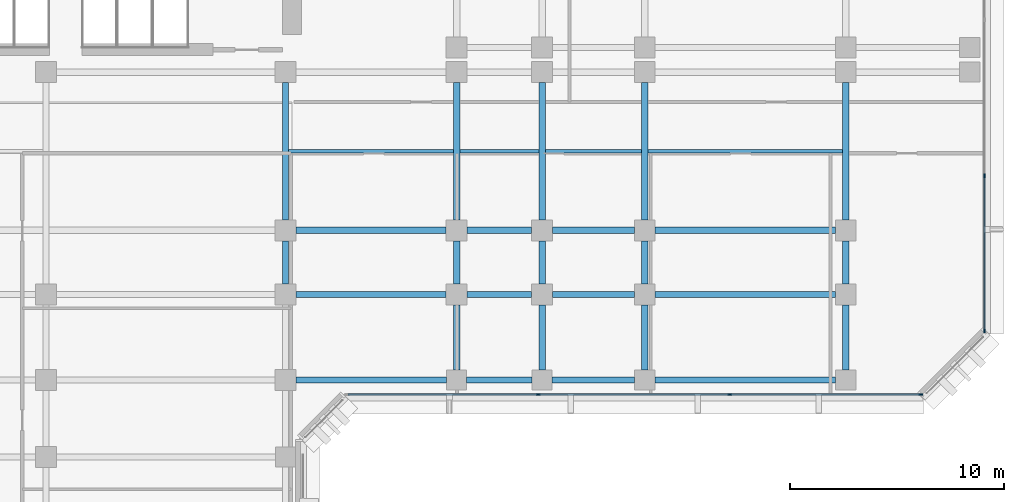
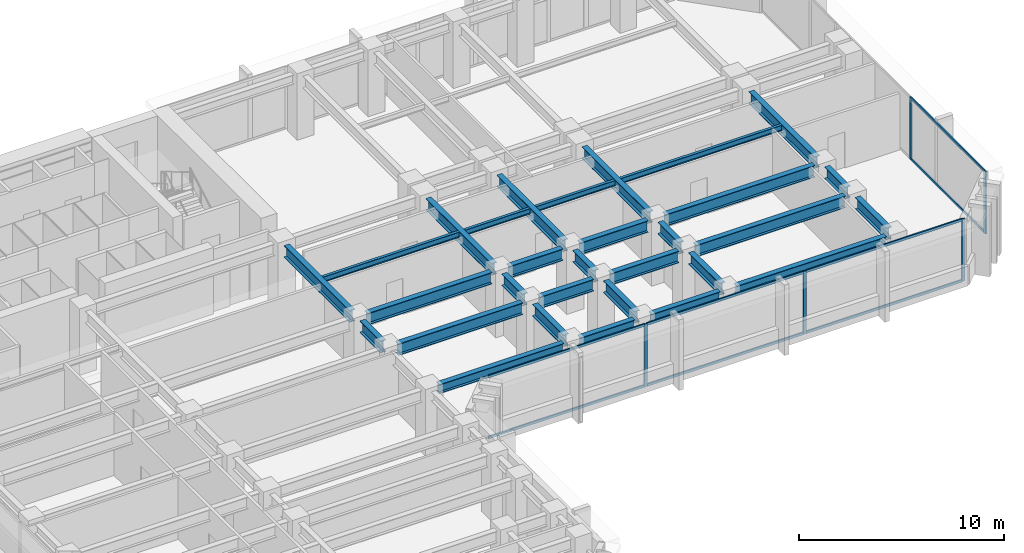
# One storey, part 3 of 14: 30 beams, 13 members, 2 elements without a shape of their own.
"""IFC4 building model written with IfcOpenShell, lengths in metres."""

from ifc_helpers import new_model, si_unit, direction, frame, origin, origin_2d, place, context, subcontext, project, spatial, rectangle, i_section, extrude, material, layer, layer_set, material_profile, profile_set, type_object, element, aggregate, save


model = new_model("IFC4")

# Units and contexts
model_context = context("Model", 3, precision=1e-05, world=origin(), true_north=direction((0.0, 1.0)))
body_context = subcontext(model_context, "Body", "Model", "MODEL_VIEW")
ifc_project = project(units=[si_unit("LENGTHUNIT", "METRE"), si_unit("AREAUNIT", "SQUARE_METRE"), si_unit("VOLUMEUNIT", "CUBIC_METRE"), si_unit("PLANEANGLEUNIT", "RADIAN"), si_unit("MASSUNIT", "GRAM", prefix="KILO")], contexts=[model_context])

# Site, building, storey
site_placement = place(None, origin())
site = spatial("IfcSite", under=ifc_project, at=site_placement, CompositionType="ELEMENT")
building_placement = place(site_placement, origin())
building = spatial("IfcBuilding", under=site, at=building_placement, Name="Kefirva Bronze Tower", CompositionType="ELEMENT")
storey_placement = place(building_placement, frame((0.0, 0.0, 50.159912109375)))
storey = spatial("IfcBuildingStorey", under=building, at=storey_placement, Name="L11", CompositionType="ELEMENT", Elevation=50.159912109375)

# Curtain wall, members
ifc_material_1 = material(Name="Bronze anodised aluminium", Category="aluminium")
ifc_layer = layer(ifc_material_1, 0.199951171875, Name="Bronze anodised aluminium")
ifc_layer_set = layer_set([ifc_layer], Name="Bronze anodised aluminium")
curtain_wall_type = type_object("IfcCurtainWallType", Name="Unitised Bronze Ribbon Curtain Wall Zone 1", PredefinedType="USERDEFINED", material=ifc_layer_set)
curtain_wall_1_placement = place(storey_placement, origin())
curtain_wall_1 = element("IfcCurtainWall", 1, at=curtain_wall_1_placement, inside=storey, type_object=curtain_wall_type, Name="L11 Curtain Wall 1", ObjectType="UNITISED CURTAIN WALL", PredefinedType="USERDEFINED")
ifc_material_profile_1 = material_profile(ifc_material_1, rectangle(XDim=0.074951171875, YDim=0.179931640625, at=origin_2d()), Name="ALU 75x180")
ifc_profile_set_1 = profile_set([ifc_material_profile_1], Name="Bronze anodised aluminium")
member_type_1 = type_object("IfcMemberType", Name="Bronze Mullion 75x180", PredefinedType="MULLION", material=ifc_profile_set_1)
member_1_placement = place(storey_placement, frame((35.018310546875, 18.1201171875, 0.0), z_axis=(0.0, 0.0, 1.0), x_axis=(0.0, 1.0, 0.0)))
member_1 = element("IfcMember", 2, at=member_1_placement, type_object=member_type_1, Name="CW-01 mullion 2", PredefinedType="MULLION", context=body_context, shape_type="SweptSolid", body=[
    extrude(rectangle(XDim=0.074951171875, YDim=0.179931640625, at=origin_2d()), origin(), (0.0, 0.0, 1.0), 3.710205078125),
])
member_2_placement = place(storey_placement, frame((43.981689453125, 18.1201171875, 0.0), z_axis=(0.0, 0.0, 1.0), x_axis=(0.0, 1.0, 0.0)))
member_2 = element("IfcMember", 3, at=member_2_placement, type_object=member_type_1, Name="CW-01 mullion 3", PredefinedType="MULLION", context=body_context, shape_type="SweptSolid", body=[
    extrude(rectangle(XDim=0.074951171875, YDim=0.179931640625, at=origin_2d()), origin(), (0.0, 0.0, 1.0), 3.710205078125),
])
member_3_placement = place(storey_placement, frame((52.907470703125, 18.1201171875, 0.0), z_axis=(0.0, 0.0, 1.0), x_axis=(0.0, 1.0, 0.0)))
member_3 = element("IfcMember", 4, at=member_3_placement, type_object=member_type_1, Name="CW-01 mullion 4", PredefinedType="MULLION", context=body_context, shape_type="SweptSolid", body=[
    extrude(rectangle(XDim=0.074951171875, YDim=0.179931640625, at=origin_2d()), origin(), (0.0, 0.0, 1.0), 3.710205078125),
])

curtain_wall_2_placement = place(storey_placement, origin())
curtain_wall_2 = element("IfcCurtainWall", 5, at=curtain_wall_2_placement, inside=storey, type_object=curtain_wall_type, Name="L11 Curtain Wall 2", ObjectType="UNITISED CURTAIN WALL", PredefinedType="USERDEFINED")
member_4_placement = place(storey_placement, frame((55.8798828125, 21.092529296875, 0.0), z_axis=(0.0, 0.0, 1.0), x_axis=(-1.0, 0.0, 0.0)))
member_4 = element("IfcMember", 6, at=member_4_placement, type_object=member_type_1, Name="CW-01 mullion 1", PredefinedType="MULLION", context=body_context, shape_type="SweptSolid", body=[
    extrude(rectangle(XDim=0.074951171875, YDim=0.179931640625, at=origin_2d()), origin(), (0.0, 0.0, 1.0), 3.710205078125),
])
member_5_placement = place(storey_placement, frame((55.8798828125, 28.3515625, 0.0), z_axis=(0.0, 0.0, 1.0), x_axis=(-1.0, 0.0, 0.0)))
member_5 = element("IfcMember", 7, at=member_5_placement, type_object=member_type_1, Name="CW-01 mullion 2", PredefinedType="MULLION", context=body_context, shape_type="SweptSolid", body=[
    extrude(rectangle(XDim=0.074951171875, YDim=0.179931640625, at=origin_2d()), origin(), (0.0, 0.0, 1.0), 3.710205078125),
])

# Member
ifc_material_profile_2 = material_profile(ifc_material_1, rectangle(XDim=0.074951171875, YDim=0.14990234375, at=origin_2d()), Name="ALU 75x150")
ifc_profile_set_2 = profile_set([ifc_material_profile_2], Name="Bronze anodised aluminium")
member_type_2 = type_object("IfcMemberType", Name="Bronze Transom 75x150", PredefinedType="USERDEFINED", material=ifc_profile_set_2)
member_6_placement = place(storey_placement, frame((26.1298828125, 18.1201171875, 0.03759765625), z_axis=(1.0, 0.0, 0.0), x_axis=(0.0, 1.0, 0.0)))
member_6 = element("IfcMember", 8, at=member_6_placement, type_object=member_type_2, Name="CW-01 transom 1.1", ObjectType="TRANSOM", PredefinedType="USERDEFINED", context=body_context, shape_type="SweptSolid", body=[
    extrude(rectangle(XDim=0.074951171875, YDim=0.14990234375, at=origin_2d()), origin(), (0.0, 0.0, 1.0), 8.850830078125),
])

member_7_placement = place(storey_placement, frame((26.1298828125, 18.1201171875, 3.672607421875), z_axis=(1.0, 0.0, 0.0), x_axis=(0.0, 1.0, 0.0)))
member_7 = element("IfcMember", 9, at=member_7_placement, type_object=member_type_2, Name="CW-01 transom 1.2", ObjectType="TRANSOM", PredefinedType="USERDEFINED", context=body_context, shape_type="SweptSolid", body=[
    extrude(rectangle(XDim=0.074951171875, YDim=0.14990234375, at=origin_2d()), origin(), (0.0, 0.0, 1.0), 8.850830078125),
])

member_8_placement = place(storey_placement, frame((35.055908203125, 18.1201171875, 0.03759765625), z_axis=(1.0, 0.0, 0.0), x_axis=(0.0, 1.0, 0.0)))
member_8 = element("IfcMember", 10, at=member_8_placement, type_object=member_type_2, Name="CW-01 transom 2.1", ObjectType="TRANSOM", PredefinedType="USERDEFINED", context=body_context, shape_type="SweptSolid", body=[
    extrude(rectangle(XDim=0.074951171875, YDim=0.14990234375, at=origin_2d()), origin(), (0.0, 0.0, 1.0), 8.88818359375),
])

member_9_placement = place(storey_placement, frame((35.055908203125, 18.1201171875, 3.672607421875), z_axis=(1.0, 0.0, 0.0), x_axis=(0.0, 1.0, 0.0)))
member_9 = element("IfcMember", 11, at=member_9_placement, type_object=member_type_2, Name="CW-01 transom 2.2", ObjectType="TRANSOM", PredefinedType="USERDEFINED", context=body_context, shape_type="SweptSolid", body=[
    extrude(rectangle(XDim=0.074951171875, YDim=0.14990234375, at=origin_2d()), origin(), (0.0, 0.0, 1.0), 8.88818359375),
])

member_10_placement = place(storey_placement, frame((44.019287109375, 18.1201171875, 0.03759765625), z_axis=(1.0, 0.0, 0.0), x_axis=(0.0, 1.0, 0.0)))
member_10 = element("IfcMember", 12, at=member_10_placement, type_object=member_type_2, Name="CW-01 transom 3.1", ObjectType="TRANSOM", PredefinedType="USERDEFINED", context=body_context, shape_type="SweptSolid", body=[
    extrude(rectangle(XDim=0.074951171875, YDim=0.14990234375, at=origin_2d()), origin(), (0.0, 0.0, 1.0), 8.850830078125),
])

member_11_placement = place(storey_placement, frame((44.019287109375, 18.1201171875, 3.672607421875), z_axis=(1.0, 0.0, 0.0), x_axis=(0.0, 1.0, 0.0)))
member_11 = element("IfcMember", 13, at=member_11_placement, type_object=member_type_2, Name="CW-01 transom 3.2", ObjectType="TRANSOM", PredefinedType="USERDEFINED", context=body_context, shape_type="SweptSolid", body=[
    extrude(rectangle(XDim=0.074951171875, YDim=0.14990234375, at=origin_2d()), origin(), (0.0, 0.0, 1.0), 8.850830078125),
])

aggregate(curtain_wall_1, [member_1, member_2, member_3, member_6, member_7, member_8, member_9, member_10, member_11])

member_12_placement = place(storey_placement, frame((55.8798828125, 21.1298828125, 0.03759765625), z_axis=(0.0, 1.0, 0.0), x_axis=(-1.0, 0.0, 0.0)))
member_12 = element("IfcMember", 14, at=member_12_placement, type_object=member_type_2, Name="CW-01 transom 1.1", ObjectType="TRANSOM", PredefinedType="USERDEFINED", context=body_context, shape_type="SweptSolid", body=[
    extrude(rectangle(XDim=0.074951171875, YDim=0.14990234375, at=origin_2d()), origin(), (0.0, 0.0, 1.0), 7.184326171875),
])

member_13_placement = place(storey_placement, frame((55.8798828125, 21.1298828125, 3.672607421875), z_axis=(0.0, 1.0, 0.0), x_axis=(-1.0, 0.0, 0.0)))
member_13 = element("IfcMember", 15, at=member_13_placement, type_object=member_type_2, Name="CW-01 transom 1.2", ObjectType="TRANSOM", PredefinedType="USERDEFINED", context=body_context, shape_type="SweptSolid", body=[
    extrude(rectangle(XDim=0.074951171875, YDim=0.14990234375, at=origin_2d()), origin(), (0.0, 0.0, 1.0), 7.184326171875),
])

aggregate(curtain_wall_2, [member_4, member_5, member_12, member_13])

# Beams
ifc_material_2 = material(Name="Steel S355", Category="steel")
ifc_material_profile_3 = material_profile(ifc_material_2, i_section(OverallWidth=0.159912109375, OverallDepth=0.330078125, WebThickness=0.007568359375, FlangeThickness=0.011474609375, at=origin_2d()), Name="IPE 330")
ifc_profile_set_3 = profile_set([ifc_material_profile_3], Name="Steel S355")
beam_type_1 = type_object("IfcBeamType", Name="Steel Floor Joist IPE 330", PredefinedType="JOIST", material=ifc_profile_set_3)
beam_1_placement = place(storey_placement, frame((23.35009765625, 29.5, 3.545166015625), z_axis=(1.0, 0.0, 0.0), x_axis=(0.0, 1.0, 0.0)))
element("IfcBeam", 16, at=beam_1_placement, inside=storey, type_object=beam_type_1, Name="L11 JST-L11-23-295", PredefinedType="JOIST", context=body_context, shape_type="SweptSolid", body=[
    extrude(i_section(OverallWidth=0.159912109375, OverallDepth=0.330078125, WebThickness=0.007568359375, FlangeThickness=0.011474609375, at=origin_2d()), origin(), (0.0, 0.0, 1.0), 7.699951171875),
])
beam_2_placement = place(storey_placement, frame((31.35009765625, 29.5, 3.545166015625), z_axis=(1.0, 0.0, 0.0), x_axis=(0.0, 1.0, 0.0)))
element("IfcBeam", 17, at=beam_2_placement, inside=storey, type_object=beam_type_1, Name="L11 JST-L11-31-295", PredefinedType="JOIST", context=body_context, shape_type="SweptSolid", body=[
    extrude(i_section(OverallWidth=0.159912109375, OverallDepth=0.330078125, WebThickness=0.007568359375, FlangeThickness=0.011474609375, at=origin_2d()), origin(), (0.0, 0.0, 1.0), 3.699951171875),
])
beam_3_placement = place(storey_placement, frame((35.35009765625, 29.5, 3.545166015625), z_axis=(1.0, 0.0, 0.0), x_axis=(0.0, 1.0, 0.0)))
element("IfcBeam", 18, at=beam_3_placement, inside=storey, type_object=beam_type_1, Name="L11 JST-L11-35-295", PredefinedType="JOIST", context=body_context, shape_type="SweptSolid", body=[
    extrude(i_section(OverallWidth=0.159912109375, OverallDepth=0.330078125, WebThickness=0.007568359375, FlangeThickness=0.011474609375, at=origin_2d()), origin(), (0.0, 0.0, 1.0), 4.5),
])
beam_4_placement = place(storey_placement, frame((40.14990234375, 29.5, 3.545166015625), z_axis=(1.0, 0.0, 0.0), x_axis=(0.0, 1.0, 0.0)))
element("IfcBeam", 19, at=beam_4_placement, inside=storey, type_object=beam_type_1, Name="L11 JST-L11-40-295", PredefinedType="JOIST", context=body_context, shape_type="SweptSolid", body=[
    extrude(i_section(OverallWidth=0.159912109375, OverallDepth=0.330078125, WebThickness=0.007568359375, FlangeThickness=0.011474609375, at=origin_2d()), origin(), (0.0, 0.0, 1.0), 9.10009765625),
])
ifc_material_profile_4 = material_profile(ifc_material_2, i_section(OverallWidth=0.300048828125, OverallDepth=0.699951171875, WebThickness=0.01708984375, FlangeThickness=0.031982421875, at=origin_2d()), Name="HEB 700")
ifc_profile_set_4 = profile_set([ifc_material_profile_4], Name="Steel S355")
beam_type_2 = type_object("IfcBeamType", Name="Steel Girder HEB 700", PredefinedType="USERDEFINED", material=ifc_profile_set_4)
beam_5_placement = place(storey_placement, frame((23.68994140625, 22.800048828125, 3.360107421875), z_axis=(1.0, 0.0, 0.0), x_axis=(0.0, 1.0, 0.0)))
element("IfcBeam", 20, at=beam_5_placement, inside=storey, type_object=beam_type_2, Name="L11 BM-L11-EW-23-228", ObjectType="GIRDER", PredefinedType="USERDEFINED", context=body_context, shape_type="SweptSolid", body=[
    extrude(i_section(OverallWidth=0.300048828125, OverallDepth=0.699951171875, WebThickness=0.01708984375, FlangeThickness=0.031982421875, at=origin_2d()), origin(), (0.0, 0.0, 1.0), 7.02001953125),
])
beam_6_placement = place(storey_placement, frame((31.68994140625, 22.800048828125, 3.360107421875), z_axis=(1.0, 0.0, 0.0), x_axis=(0.0, 1.0, 0.0)))
element("IfcBeam", 21, at=beam_6_placement, inside=storey, type_object=beam_type_2, Name="L11 BM-L11-EW-31-228", ObjectType="GIRDER", PredefinedType="USERDEFINED", context=body_context, shape_type="SweptSolid", body=[
    extrude(i_section(OverallWidth=0.300048828125, OverallDepth=0.699951171875, WebThickness=0.01708984375, FlangeThickness=0.031982421875, at=origin_2d()), origin(), (0.0, 0.0, 1.0), 3.02001953125),
])
beam_7_placement = place(storey_placement, frame((35.68994140625, 22.800048828125, 3.360107421875), z_axis=(1.0, 0.0, 0.0), x_axis=(0.0, 1.0, 0.0)))
element("IfcBeam", 22, at=beam_7_placement, inside=storey, type_object=beam_type_2, Name="L11 BM-L11-EW-35-228", ObjectType="GIRDER", PredefinedType="USERDEFINED", context=body_context, shape_type="SweptSolid", body=[
    extrude(i_section(OverallWidth=0.300048828125, OverallDepth=0.699951171875, WebThickness=0.01708984375, FlangeThickness=0.031982421875, at=origin_2d()), origin(), (0.0, 0.0, 1.0), 3.820068359375),
])
beam_8_placement = place(storey_placement, frame((40.489990234375, 22.800048828125, 3.360107421875), z_axis=(1.0, 0.0, 0.0), x_axis=(0.0, 1.0, 0.0)))
element("IfcBeam", 23, at=beam_8_placement, inside=storey, type_object=beam_type_2, Name="L11 BM-L11-EW-40-228", ObjectType="GIRDER", PredefinedType="USERDEFINED", context=body_context, shape_type="SweptSolid", body=[
    extrude(i_section(OverallWidth=0.300048828125, OverallDepth=0.699951171875, WebThickness=0.01708984375, FlangeThickness=0.031982421875, at=origin_2d()), origin(), (0.0, 0.0, 1.0), 8.419921875),
])
beam_9_placement = place(storey_placement, frame((23.68994140625, 25.800048828125, 3.360107421875), z_axis=(1.0, 0.0, 0.0), x_axis=(0.0, 1.0, 0.0)))
element("IfcBeam", 24, at=beam_9_placement, inside=storey, type_object=beam_type_2, Name="L11 BM-L11-EW-23-258", ObjectType="GIRDER", PredefinedType="USERDEFINED", context=body_context, shape_type="SweptSolid", body=[
    extrude(i_section(OverallWidth=0.300048828125, OverallDepth=0.699951171875, WebThickness=0.01708984375, FlangeThickness=0.031982421875, at=origin_2d()), origin(), (0.0, 0.0, 1.0), 7.02001953125),
])
beam_10_placement = place(storey_placement, frame((31.68994140625, 25.800048828125, 3.360107421875), z_axis=(1.0, 0.0, 0.0), x_axis=(0.0, 1.0, 0.0)))
element("IfcBeam", 25, at=beam_10_placement, inside=storey, type_object=beam_type_2, Name="L11 BM-L11-EW-31-258", ObjectType="GIRDER", PredefinedType="USERDEFINED", context=body_context, shape_type="SweptSolid", body=[
    extrude(i_section(OverallWidth=0.300048828125, OverallDepth=0.699951171875, WebThickness=0.01708984375, FlangeThickness=0.031982421875, at=origin_2d()), origin(), (0.0, 0.0, 1.0), 3.02001953125),
])
beam_11_placement = place(storey_placement, frame((35.68994140625, 25.800048828125, 3.360107421875), z_axis=(1.0, 0.0, 0.0), x_axis=(0.0, 1.0, 0.0)))
element("IfcBeam", 26, at=beam_11_placement, inside=storey, type_object=beam_type_2, Name="L11 BM-L11-EW-35-258", ObjectType="GIRDER", PredefinedType="USERDEFINED", context=body_context, shape_type="SweptSolid", body=[
    extrude(i_section(OverallWidth=0.300048828125, OverallDepth=0.699951171875, WebThickness=0.01708984375, FlangeThickness=0.031982421875, at=origin_2d()), origin(), (0.0, 0.0, 1.0), 3.820068359375),
])
beam_12_placement = place(storey_placement, frame((40.489990234375, 25.800048828125, 3.360107421875), z_axis=(1.0, 0.0, 0.0), x_axis=(0.0, 1.0, 0.0)))
element("IfcBeam", 27, at=beam_12_placement, inside=storey, type_object=beam_type_2, Name="L11 BM-L11-EW-40-258", ObjectType="GIRDER", PredefinedType="USERDEFINED", context=body_context, shape_type="SweptSolid", body=[
    extrude(i_section(OverallWidth=0.300048828125, OverallDepth=0.699951171875, WebThickness=0.01708984375, FlangeThickness=0.031982421875, at=origin_2d()), origin(), (0.0, 0.0, 1.0), 8.419921875),
])
beam_13_placement = place(storey_placement, frame((23.199951171875, 23.2900390625, 3.360107421875), z_axis=(0.0, 1.0, 0.0), x_axis=(-1.0, 0.0, 0.0)))
element("IfcBeam", 28, at=beam_13_placement, inside=storey, type_object=beam_type_2, Name="L11 BM-L11-NS-232-22", ObjectType="GIRDER", PredefinedType="USERDEFINED", context=body_context, shape_type="SweptSolid", body=[
    extrude(i_section(OverallWidth=0.300048828125, OverallDepth=0.699951171875, WebThickness=0.01708984375, FlangeThickness=0.031982421875, at=origin_2d()), origin(), (0.0, 0.0, 1.0), 2.02001953125),
])
beam_14_placement = place(storey_placement, frame((23.199951171875, 26.2900390625, 3.360107421875), z_axis=(0.0, 1.0, 0.0), x_axis=(-1.0, 0.0, 0.0)))
element("IfcBeam", 29, at=beam_14_placement, inside=storey, type_object=beam_type_2, Name="L11 BM-L11-NS-232-25", ObjectType="GIRDER", PredefinedType="USERDEFINED", context=body_context, shape_type="SweptSolid", body=[
    extrude(i_section(OverallWidth=0.300048828125, OverallDepth=0.699951171875, WebThickness=0.01708984375, FlangeThickness=0.031982421875, at=origin_2d()), origin(), (0.0, 0.0, 1.0), 6.419921875),
])
beam_15_placement = place(storey_placement, frame((31.199951171875, 19.27001953125, 3.360107421875), z_axis=(0.0, 1.0, 0.0), x_axis=(-1.0, 0.0, 0.0)))
element("IfcBeam", 30, at=beam_15_placement, inside=storey, type_object=beam_type_2, Name="L11 BM-L11-NS-312-18", ObjectType="GIRDER", PredefinedType="USERDEFINED", context=body_context, shape_type="SweptSolid", body=[
    extrude(i_section(OverallWidth=0.300048828125, OverallDepth=0.699951171875, WebThickness=0.01708984375, FlangeThickness=0.031982421875, at=origin_2d()), origin(), (0.0, 0.0, 1.0), 3.0400390625),
])
beam_16_placement = place(storey_placement, frame((31.199951171875, 23.2900390625, 3.360107421875), z_axis=(0.0, 1.0, 0.0), x_axis=(-1.0, 0.0, 0.0)))
element("IfcBeam", 31, at=beam_16_placement, inside=storey, type_object=beam_type_2, Name="L11 BM-L11-NS-312-22", ObjectType="GIRDER", PredefinedType="USERDEFINED", context=body_context, shape_type="SweptSolid", body=[
    extrude(i_section(OverallWidth=0.300048828125, OverallDepth=0.699951171875, WebThickness=0.01708984375, FlangeThickness=0.031982421875, at=origin_2d()), origin(), (0.0, 0.0, 1.0), 2.02001953125),
])
beam_17_placement = place(storey_placement, frame((31.199951171875, 26.2900390625, 3.360107421875), z_axis=(0.0, 1.0, 0.0), x_axis=(-1.0, 0.0, 0.0)))
element("IfcBeam", 32, at=beam_17_placement, inside=storey, type_object=beam_type_2, Name="L11 BM-L11-NS-312-25", ObjectType="GIRDER", PredefinedType="USERDEFINED", context=body_context, shape_type="SweptSolid", body=[
    extrude(i_section(OverallWidth=0.300048828125, OverallDepth=0.699951171875, WebThickness=0.01708984375, FlangeThickness=0.031982421875, at=origin_2d()), origin(), (0.0, 0.0, 1.0), 6.419921875),
])
beam_18_placement = place(storey_placement, frame((35.199951171875, 19.27001953125, 3.360107421875), z_axis=(0.0, 1.0, 0.0), x_axis=(-1.0, 0.0, 0.0)))
element("IfcBeam", 33, at=beam_18_placement, inside=storey, type_object=beam_type_2, Name="L11 BM-L11-NS-352-18", ObjectType="GIRDER", PredefinedType="USERDEFINED", context=body_context, shape_type="SweptSolid", body=[
    extrude(i_section(OverallWidth=0.300048828125, OverallDepth=0.699951171875, WebThickness=0.01708984375, FlangeThickness=0.031982421875, at=origin_2d()), origin(), (0.0, 0.0, 1.0), 3.0400390625),
])
beam_19_placement = place(storey_placement, frame((35.199951171875, 23.2900390625, 3.360107421875), z_axis=(0.0, 1.0, 0.0), x_axis=(-1.0, 0.0, 0.0)))
element("IfcBeam", 34, at=beam_19_placement, inside=storey, type_object=beam_type_2, Name="L11 BM-L11-NS-352-22", ObjectType="GIRDER", PredefinedType="USERDEFINED", context=body_context, shape_type="SweptSolid", body=[
    extrude(i_section(OverallWidth=0.300048828125, OverallDepth=0.699951171875, WebThickness=0.01708984375, FlangeThickness=0.031982421875, at=origin_2d()), origin(), (0.0, 0.0, 1.0), 2.02001953125),
])
beam_20_placement = place(storey_placement, frame((35.199951171875, 26.2900390625, 3.360107421875), z_axis=(0.0, 1.0, 0.0), x_axis=(-1.0, 0.0, 0.0)))
element("IfcBeam", 35, at=beam_20_placement, inside=storey, type_object=beam_type_2, Name="L11 BM-L11-NS-352-25", ObjectType="GIRDER", PredefinedType="USERDEFINED", context=body_context, shape_type="SweptSolid", body=[
    extrude(i_section(OverallWidth=0.300048828125, OverallDepth=0.699951171875, WebThickness=0.01708984375, FlangeThickness=0.031982421875, at=origin_2d()), origin(), (0.0, 0.0, 1.0), 6.419921875),
])
beam_21_placement = place(storey_placement, frame((40.0, 19.27001953125, 3.360107421875), z_axis=(0.0, 1.0, 0.0), x_axis=(-1.0, 0.0, 0.0)))
element("IfcBeam", 36, at=beam_21_placement, inside=storey, type_object=beam_type_2, Name="L11 BM-L11-NS-400-18", ObjectType="GIRDER", PredefinedType="USERDEFINED", context=body_context, shape_type="SweptSolid", body=[
    extrude(i_section(OverallWidth=0.300048828125, OverallDepth=0.699951171875, WebThickness=0.01708984375, FlangeThickness=0.031982421875, at=origin_2d()), origin(), (0.0, 0.0, 1.0), 3.0400390625),
])
beam_22_placement = place(storey_placement, frame((40.0, 23.2900390625, 3.360107421875), z_axis=(0.0, 1.0, 0.0), x_axis=(-1.0, 0.0, 0.0)))
element("IfcBeam", 37, at=beam_22_placement, inside=storey, type_object=beam_type_2, Name="L11 BM-L11-NS-400-22", ObjectType="GIRDER", PredefinedType="USERDEFINED", context=body_context, shape_type="SweptSolid", body=[
    extrude(i_section(OverallWidth=0.300048828125, OverallDepth=0.699951171875, WebThickness=0.01708984375, FlangeThickness=0.031982421875, at=origin_2d()), origin(), (0.0, 0.0, 1.0), 2.02001953125),
])
beam_23_placement = place(storey_placement, frame((40.0, 26.2900390625, 3.360107421875), z_axis=(0.0, 1.0, 0.0), x_axis=(-1.0, 0.0, 0.0)))
element("IfcBeam", 38, at=beam_23_placement, inside=storey, type_object=beam_type_2, Name="L11 BM-L11-NS-400-25", ObjectType="GIRDER", PredefinedType="USERDEFINED", context=body_context, shape_type="SweptSolid", body=[
    extrude(i_section(OverallWidth=0.300048828125, OverallDepth=0.699951171875, WebThickness=0.01708984375, FlangeThickness=0.031982421875, at=origin_2d()), origin(), (0.0, 0.0, 1.0), 6.419921875),
])
beam_24_placement = place(storey_placement, frame((49.39990234375, 19.27001953125, 3.360107421875), z_axis=(0.0, 1.0, 0.0), x_axis=(-1.0, 0.0, 0.0)))
element("IfcBeam", 39, at=beam_24_placement, inside=storey, type_object=beam_type_2, Name="L11 BM-L11-NS-494-18", ObjectType="GIRDER", PredefinedType="USERDEFINED", context=body_context, shape_type="SweptSolid", body=[
    extrude(i_section(OverallWidth=0.300048828125, OverallDepth=0.699951171875, WebThickness=0.01708984375, FlangeThickness=0.031982421875, at=origin_2d()), origin(), (0.0, 0.0, 1.0), 3.0400390625),
])
beam_25_placement = place(storey_placement, frame((49.39990234375, 23.2900390625, 3.360107421875), z_axis=(0.0, 1.0, 0.0), x_axis=(-1.0, 0.0, 0.0)))
element("IfcBeam", 40, at=beam_25_placement, inside=storey, type_object=beam_type_2, Name="L11 BM-L11-NS-494-22", ObjectType="GIRDER", PredefinedType="USERDEFINED", context=body_context, shape_type="SweptSolid", body=[
    extrude(i_section(OverallWidth=0.300048828125, OverallDepth=0.699951171875, WebThickness=0.01708984375, FlangeThickness=0.031982421875, at=origin_2d()), origin(), (0.0, 0.0, 1.0), 2.02001953125),
])
beam_26_placement = place(storey_placement, frame((49.39990234375, 26.2900390625, 3.360107421875), z_axis=(0.0, 1.0, 0.0), x_axis=(-1.0, 0.0, 0.0)))
element("IfcBeam", 41, at=beam_26_placement, inside=storey, type_object=beam_type_2, Name="L11 BM-L11-NS-494-25", ObjectType="GIRDER", PredefinedType="USERDEFINED", context=body_context, shape_type="SweptSolid", body=[
    extrude(i_section(OverallWidth=0.300048828125, OverallDepth=0.699951171875, WebThickness=0.01708984375, FlangeThickness=0.031982421875, at=origin_2d()), origin(), (0.0, 0.0, 1.0), 6.419921875),
])
ifc_material_profile_5 = material_profile(ifc_material_2, i_section(OverallWidth=0.300048828125, OverallDepth=0.550048828125, WebThickness=0.014892578125, FlangeThickness=0.029052734375, at=origin_2d()), Name="HEB 550")
ifc_profile_set_5 = profile_set([ifc_material_profile_5], Name="Steel S355")
beam_type_3 = type_object("IfcBeamType", Name="Steel Spandrel HEB 550 Ext", PredefinedType="SPANDREL", material=ifc_profile_set_5)
beam_27_placement = place(storey_placement, frame((23.68994140625, 18.800048828125, 3.43505859375), z_axis=(1.0, 0.0, 0.0), x_axis=(0.0, 1.0, 0.0)))
element("IfcBeam", 42, at=beam_27_placement, inside=storey, type_object=beam_type_3, Name="L11 BM-L11-EW-23-188", PredefinedType="SPANDREL", context=body_context, shape_type="SweptSolid", body=[
    extrude(i_section(OverallWidth=0.300048828125, OverallDepth=0.550048828125, WebThickness=0.014892578125, FlangeThickness=0.029052734375, at=origin_2d()), origin(), (0.0, 0.0, 1.0), 7.0400390625),
])
beam_28_placement = place(storey_placement, frame((31.669921875, 18.800048828125, 3.43505859375), z_axis=(1.0, 0.0, 0.0), x_axis=(0.0, 1.0, 0.0)))
element("IfcBeam", 43, at=beam_28_placement, inside=storey, type_object=beam_type_3, Name="L11 BM-L11-EW-31-188", PredefinedType="SPANDREL", context=body_context, shape_type="SweptSolid", body=[
    extrude(i_section(OverallWidth=0.300048828125, OverallDepth=0.550048828125, WebThickness=0.014892578125, FlangeThickness=0.029052734375, at=origin_2d()), origin(), (0.0, 0.0, 1.0), 3.06005859375),
])
beam_29_placement = place(storey_placement, frame((35.669921875, 18.800048828125, 3.43505859375), z_axis=(1.0, 0.0, 0.0), x_axis=(0.0, 1.0, 0.0)))
element("IfcBeam", 44, at=beam_29_placement, inside=storey, type_object=beam_type_3, Name="L11 BM-L11-EW-35-188", PredefinedType="SPANDREL", context=body_context, shape_type="SweptSolid", body=[
    extrude(i_section(OverallWidth=0.300048828125, OverallDepth=0.550048828125, WebThickness=0.014892578125, FlangeThickness=0.029052734375, at=origin_2d()), origin(), (0.0, 0.0, 1.0), 3.860107421875),
])
beam_30_placement = place(storey_placement, frame((40.469970703125, 18.800048828125, 3.43505859375), z_axis=(1.0, 0.0, 0.0), x_axis=(0.0, 1.0, 0.0)))
element("IfcBeam", 45, at=beam_30_placement, inside=storey, type_object=beam_type_3, Name="L11 BM-L11-EW-40-188", PredefinedType="SPANDREL", context=body_context, shape_type="SweptSolid", body=[
    extrude(i_section(OverallWidth=0.300048828125, OverallDepth=0.550048828125, WebThickness=0.014892578125, FlangeThickness=0.029052734375, at=origin_2d()), origin(), (0.0, 0.0, 1.0), 8.4599609375),
])

save(model, "model.ifc")
